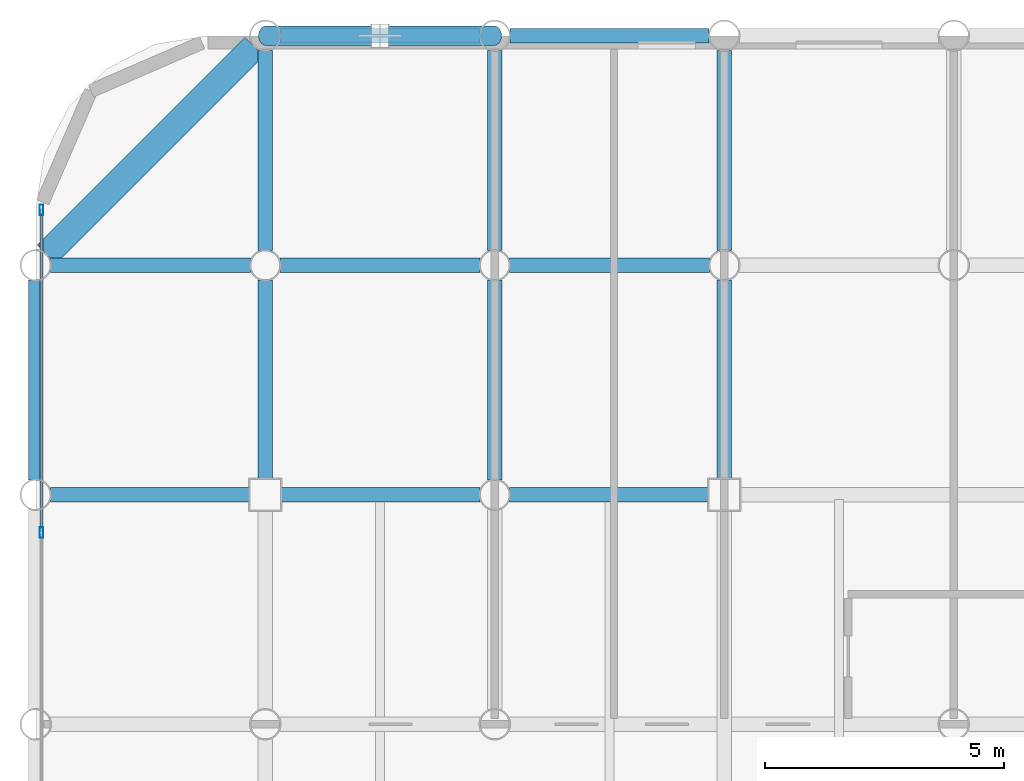
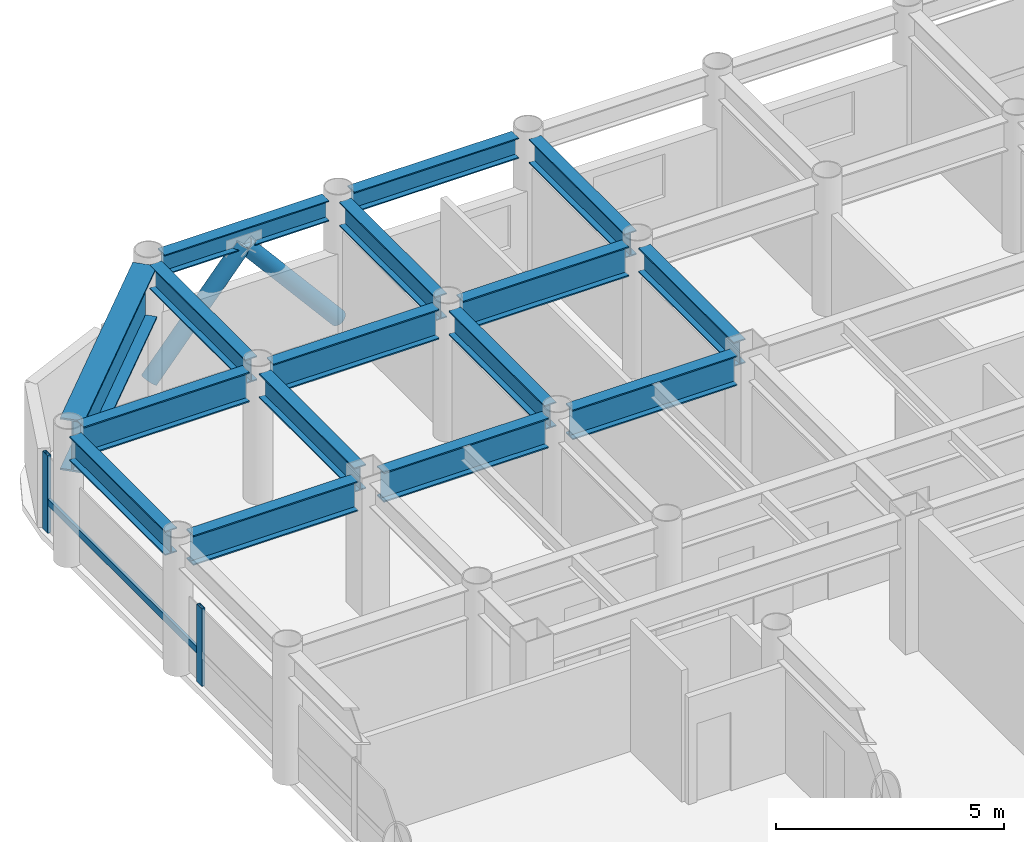
# One storey, part 11 of 22: 16 beams, 5 members, 1 element without a shape of its own.
"""IFC4 building model written with IfcOpenShell, lengths in metres."""

from ifc_helpers import new_model, si_unit, direction, frame, origin, origin_2d, place, context, subcontext, project, spatial, hollow_rectangle, hollow_circle, i_section, extrude, material, layer, layer_set, material_profile, profile_set, type_object, element, aggregate, save


model = new_model("IFC4")

# Units and contexts
model_context = context("Model", 3, precision=1e-05, world=origin(), true_north=direction((0.0, 1.0)))
body_context = subcontext(model_context, "Body", "Model", "MODEL_VIEW")
ifc_project = project(units=[si_unit("LENGTHUNIT", "METRE"), si_unit("AREAUNIT", "SQUARE_METRE"), si_unit("VOLUMEUNIT", "CUBIC_METRE"), si_unit("PLANEANGLEUNIT", "RADIAN"), si_unit("MASSUNIT", "GRAM", prefix="KILO")], contexts=[model_context])

# Site, building, storey
site_placement = place(None, origin())
site = spatial("IfcSite", under=ifc_project, at=site_placement, CompositionType="ELEMENT")
building_placement = place(site_placement, origin())
building = spatial("IfcBuilding", under=site, at=building_placement, Name="Kallvorn Hotel Tower", CompositionType="ELEMENT")
storey_placement = place(building_placement, frame((0.0, 0.0, 110.0)))
storey = spatial("IfcBuildingStorey", under=building, at=storey_placement, Name="L26", CompositionType="ELEMENT", Elevation=110.0)

# Beams
ifc_material_1 = material(Name="Structural steel S355JR", Category="steel")
ifc_material_profile_1 = material_profile(ifc_material_1, i_section(OverallWidth=0.300048828125, OverallDepth=0.550048828125, WebThickness=0.014892578125, FlangeThickness=0.029052734375, at=origin_2d()), Name="HE 550 B")
ifc_profile_set_1 = profile_set([ifc_material_profile_1], Name="Structural steel S355JR")
beam_type_1 = type_object("IfcBeamType", Name="BM_HE550B", PredefinedType="SPANDREL", material=ifc_profile_set_1)
for number, where, z_axis, x_axis, name in (
    (1, (-23.679931640625, 24.0, 3.2451171875), (1.0, 0.0, 0.0), (0.0, 1.0, 0.0), "L27 Perimeter Spandrel 163"),
    (2, (-18.8798828125, 24.0, 3.2451171875), (1.0, 0.0, 0.0), (0.0, 1.0, 0.0), "L27 Perimeter Spandrel 164"),
):
    element("IfcBeam", number, at=place(storey_placement, frame(where, z_axis=z_axis, x_axis=x_axis)), inside=storey, type_object=beam_type_1, Name=name, PredefinedType="SPANDREL", context=body_context, shape_type="SweptSolid", body=[
        extrude(i_section(OverallWidth=0.300048828125, OverallDepth=0.550048828125, WebThickness=0.014892578125, FlangeThickness=0.029052734375, at=origin_2d()), origin(), (0.0, 0.0, 1.0), 4.159912109375),
    ])
ifc_material_2 = material(Name="Structural steel S355JR", Category="steel")
ifc_material_profile_2 = material_profile(ifc_material_2, i_section(OverallWidth=0.300048828125, OverallDepth=0.64990234375, WebThickness=0.01611328125, FlangeThickness=0.031005859375, at=origin_2d()), Name="HE 650 B")
ifc_profile_set_2 = profile_set([ifc_material_profile_2], Name="Structural steel S355JR")
beam_type_2 = type_object("IfcBeamType", Name="BM_HE650B", PredefinedType="BEAM", material=ifc_profile_set_2)
beam_1_placement = place(storey_placement, frame((-28.800048828125, 14.705078125, 3.195068359375), z_axis=(0.0, 1.0, 0.0), x_axis=(-1.0, 0.0, 0.0)))
element("IfcBeam", 3, at=beam_1_placement, inside=storey, type_object=beam_type_2, Name="L27 Primary Y-Girder 80", PredefinedType="BEAM", context=body_context, shape_type="SweptSolid", body=[
    extrude(i_section(OverallWidth=0.300048828125, OverallDepth=0.64990234375, WebThickness=0.01611328125, FlangeThickness=0.031005859375, at=origin_2d()), origin(), (0.0, 0.0, 1.0), 4.18994140625),
])
beam_2_placement = place(storey_placement, frame((-24.0, 14.72509765625, 3.195068359375), z_axis=(0.0, 1.0, 0.0), x_axis=(-1.0, 0.0, 0.0)))
element("IfcBeam", 4, at=beam_2_placement, inside=storey, type_object=beam_type_2, Name="L27 Primary Y-Girder 86", PredefinedType="BEAM", context=body_context, shape_type="SweptSolid", body=[
    extrude(i_section(OverallWidth=0.300048828125, OverallDepth=0.64990234375, WebThickness=0.01611328125, FlangeThickness=0.031005859375, at=origin_2d()), origin(), (0.0, 0.0, 1.0), 4.169921875),
])
beam_3_placement = place(storey_placement, frame((-24.0, 19.5048828125, 3.195068359375), z_axis=(0.0, 1.0, 0.0), x_axis=(-1.0, 0.0, 0.0)))
element("IfcBeam", 5, at=beam_3_placement, inside=storey, type_object=beam_type_2, Name="L27 Primary Y-Girder 87", PredefinedType="BEAM", context=body_context, shape_type="SweptSolid", body=[
    extrude(i_section(OverallWidth=0.300048828125, OverallDepth=0.64990234375, WebThickness=0.01611328125, FlangeThickness=0.031005859375, at=origin_2d()), origin(), (0.0, 0.0, 1.0), 4.190185546875),
])
beam_4_placement = place(storey_placement, frame((-19.199951171875, 14.705078125, 3.195068359375), z_axis=(0.0, 1.0, 0.0), x_axis=(-1.0, 0.0, 0.0)))
element("IfcBeam", 6, at=beam_4_placement, inside=storey, type_object=beam_type_2, Name="L27 Primary Y-Girder 95", PredefinedType="BEAM", context=body_context, shape_type="SweptSolid", body=[
    extrude(i_section(OverallWidth=0.300048828125, OverallDepth=0.64990234375, WebThickness=0.01611328125, FlangeThickness=0.031005859375, at=origin_2d()), origin(), (0.0, 0.0, 1.0), 4.18994140625),
])
beam_5_placement = place(storey_placement, frame((-19.199951171875, 19.5048828125, 3.195068359375), z_axis=(0.0, 1.0, 0.0), x_axis=(-1.0, 0.0, 0.0)))
element("IfcBeam", 7, at=beam_5_placement, inside=storey, type_object=beam_type_2, Name="L27 Primary Y-Girder 96", PredefinedType="BEAM", context=body_context, shape_type="SweptSolid", body=[
    extrude(i_section(OverallWidth=0.300048828125, OverallDepth=0.64990234375, WebThickness=0.01611328125, FlangeThickness=0.031005859375, at=origin_2d()), origin(), (0.0, 0.0, 1.0), 4.190185546875),
])
beam_6_placement = place(storey_placement, frame((-14.39990234375, 14.72509765625, 3.195068359375), z_axis=(0.0, 1.0, 0.0), x_axis=(-1.0, 0.0, 0.0)))
element("IfcBeam", 8, at=beam_6_placement, inside=storey, type_object=beam_type_2, Name="L27 Primary Y-Girder 100", PredefinedType="BEAM", context=body_context, shape_type="SweptSolid", body=[
    extrude(i_section(OverallWidth=0.300048828125, OverallDepth=0.64990234375, WebThickness=0.01611328125, FlangeThickness=0.031005859375, at=origin_2d()), origin(), (0.0, 0.0, 1.0), 4.169921875),
])
beam_7_placement = place(storey_placement, frame((-14.39990234375, 19.5048828125, 3.195068359375), z_axis=(0.0, 1.0, 0.0), x_axis=(-1.0, 0.0, 0.0)))
element("IfcBeam", 9, at=beam_7_placement, inside=storey, type_object=beam_type_2, Name="L27 Primary Y-Girder 101", PredefinedType="BEAM", context=body_context, shape_type="SweptSolid", body=[
    extrude(i_section(OverallWidth=0.300048828125, OverallDepth=0.64990234375, WebThickness=0.01611328125, FlangeThickness=0.031005859375, at=origin_2d()), origin(), (0.0, 0.0, 1.0), 4.190185546875),
])
ifc_material_3 = material(Name="Structural steel S355JR", Category="steel")
ifc_material_profile_3 = material_profile(ifc_material_3, i_section(OverallWidth=0.300048828125, OverallDepth=0.800048828125, WebThickness=0.017578125, FlangeThickness=0.032958984375, at=origin_2d()), Name="HE 800 B")
ifc_profile_set_3 = profile_set([ifc_material_profile_3], Name="Structural steel S355JR")
beam_type_3 = type_object("IfcBeamType", Name="BM_HE800B", PredefinedType="BEAM", material=ifc_profile_set_3)
for number, where, z_axis, x_axis, name in (
    (10, (-28.4951171875, 14.39990234375, 3.1201171875), (1.0, 0.0, 0.0), (0.0, 1.0, 0.0), "L27 Primary X-Girder 50"),
    (11, (-23.675048828125, 14.39990234375, 3.1201171875), (1.0, 0.0, 0.0), (0.0, 1.0, 0.0), "L27 Primary X-Girder 51"),
):
    element("IfcBeam", number, at=place(storey_placement, frame(where, z_axis=z_axis, x_axis=x_axis)), inside=storey, type_object=beam_type_3, Name=name, PredefinedType="BEAM", context=body_context, shape_type="SweptSolid", body=[
        extrude(i_section(OverallWidth=0.300048828125, OverallDepth=0.800048828125, WebThickness=0.017578125, FlangeThickness=0.032958984375, at=origin_2d()), origin(), (0.0, 0.0, 1.0), 4.170166015625),
    ])
beam_8_placement = place(storey_placement, frame((-18.89501953125, 14.39990234375, 3.1201171875), z_axis=(1.0, 0.0, 0.0), x_axis=(0.0, 1.0, 0.0)))
element("IfcBeam", 12, at=beam_8_placement, inside=storey, type_object=beam_type_3, Name="L27 Primary X-Girder 52", PredefinedType="BEAM", context=body_context, shape_type="SweptSolid", body=[
    extrude(i_section(OverallWidth=0.300048828125, OverallDepth=0.800048828125, WebThickness=0.017578125, FlangeThickness=0.032958984375, at=origin_2d()), origin(), (0.0, 0.0, 1.0), 4.169921875),
])
for number, where, z_axis, x_axis, name in (
    (13, (-28.4951171875, 19.199951171875, 3.1201171875), (1.0, 0.0, 0.0), (0.0, 1.0, 0.0), "L27 Primary X-Girder 60"),
    (14, (-23.695068359375, 19.199951171875, 3.1201171875), (1.0, 0.0, 0.0), (0.0, 1.0, 0.0), "L27 Primary X-Girder 61"),
):
    element("IfcBeam", number, at=place(storey_placement, frame(where, z_axis=z_axis, x_axis=x_axis)), inside=storey, type_object=beam_type_3, Name=name, PredefinedType="BEAM", context=body_context, shape_type="SweptSolid", body=[
        extrude(i_section(OverallWidth=0.300048828125, OverallDepth=0.800048828125, WebThickness=0.017578125, FlangeThickness=0.032958984375, at=origin_2d()), origin(), (0.0, 0.0, 1.0), 4.190185546875),
    ])
beam_9_placement = place(storey_placement, frame((-18.89501953125, 19.199951171875, 3.1201171875), z_axis=(1.0, 0.0, 0.0), x_axis=(0.0, 1.0, 0.0)))
element("IfcBeam", 15, at=beam_9_placement, inside=storey, type_object=beam_type_3, Name="L27 Primary X-Girder 62", PredefinedType="BEAM", context=body_context, shape_type="SweptSolid", body=[
    extrude(i_section(OverallWidth=0.300048828125, OverallDepth=0.800048828125, WebThickness=0.017578125, FlangeThickness=0.032958984375, at=origin_2d()), origin(), (0.0, 0.0, 1.0), 4.18994140625),
])
ifc_material_4 = material(Name="Structural steel S355JR", Category="steel")
ifc_material_profile_4 = material_profile(ifc_material_4, i_section(OverallWidth=0.550048828125, OverallDepth=1.39990234375, WebThickness=0.02490234375, FlangeThickness=0.044921875, at=origin_2d()), Name="PG 1400x550x25x45")
ifc_profile_set_4 = profile_set([ifc_material_profile_4], Name="Structural steel S355JR")
beam_type_4 = type_object("IfcBeamType", Name="BM_PG_1400", PredefinedType="BEAM", material=ifc_profile_set_4)
beam_10_placement = place(storey_placement, frame((-28.57373046875, 19.42626953125, 2.820068359375), z_axis=(0.707106781187, 0.707106781187, 0.0), x_axis=(-0.707106781187, 0.707106781187, 0.0)))
element("IfcBeam", 16, at=beam_10_placement, inside=storey, type_object=beam_type_4, Name="L27 Rounded Corner Tie Beam 189", PredefinedType="BEAM", context=body_context, shape_type="SweptSolid", body=[
    extrude(i_section(OverallWidth=0.550048828125, OverallDepth=1.39990234375, WebThickness=0.02490234375, FlangeThickness=0.044921875, at=origin_2d()), origin(), (0.0, 0.0, 1.0), 6.148193359375),
])

# Curtain wall, members
ifc_material_5 = material(Name="Thermally broken black-anodised aluminium AA 6063-T6", Category="aluminium")
ifc_layer = layer(ifc_material_5, 0.199951171875)
ifc_layer_set = layer_set([ifc_layer], Name="CW_SYS_3_HOTEL_LOW")
curtain_wall_type = type_object("IfcCurtainWallType", Name="CW_SYS_3_HOTEL_LOW", PredefinedType="USERDEFINED", material=ifc_layer_set)
curtain_wall_placement = place(storey_placement, origin())
curtain_wall = element("IfcCurtainWall", 17, at=curtain_wall_placement, inside=storey, type_object=curtain_wall_type, Name="L26 Dark-Glass Curtain Wall CW-L26-WN", ObjectType="UNITISED CURTAIN WALL", PredefinedType="USERDEFINED")
ifc_material_6 = material(Name="Thermally broken black-anodised aluminium AA 6063-T6", Category="aluminium")
ifc_material_profile_5 = material_profile(ifc_material_6, hollow_rectangle(XDim=0.080078125, YDim=0.219970703125, WallThickness=0.0048828125, at=origin_2d()), Name="MUL 220x80")
ifc_profile_set_5 = profile_set([ifc_material_profile_5], Name="Thermally broken black-anodised aluminium AA 6063-T6")
member_type_1 = type_object("IfcMemberType", Name="CW_MULLION_220x80", PredefinedType="MULLION", material=ifc_profile_set_5)
member_1_placement = place(storey_placement, frame((-28.679931640625, 13.606689453125, 0.02001953125), z_axis=(0.0, 0.0, 1.0), x_axis=(1.0, 0.0, 0.0)))
member_1 = element("IfcMember", 18, at=member_1_placement, type_object=member_type_1, Name="CW-L26-WN Mullion 02", PredefinedType="MULLION", context=body_context, shape_type="SweptSolid", body=[
    extrude(hollow_rectangle(XDim=0.080078125, YDim=0.219970703125, WallThickness=0.0048828125, at=origin_2d()), origin(), (0.0, 0.0, 1.0), 2.080078125),
])
member_2_placement = place(storey_placement, frame((-28.679931640625, 20.360107421875, 0.02001953125), z_axis=(0.0, 0.0, 1.0), x_axis=(1.0, 0.0, 0.0)))
member_2 = element("IfcMember", 19, at=member_2_placement, type_object=member_type_1, Name="CW-L26-WN Mullion 03", PredefinedType="MULLION", context=body_context, shape_type="SweptSolid", body=[
    extrude(hollow_rectangle(XDim=0.080078125, YDim=0.219970703125, WallThickness=0.0048828125, at=origin_2d()), origin(), (0.0, 0.0, 1.0), 2.080078125),
])
ifc_material_7 = material(Name="Thermally broken black-anodised aluminium AA 6063-T6", Category="aluminium")
ifc_material_profile_6 = material_profile(ifc_material_7, hollow_rectangle(XDim=0.070068359375, YDim=0.179931640625, WallThickness=0.00390625, at=origin_2d()), Name="TRN 180x70")
ifc_profile_set_6 = profile_set([ifc_material_profile_6], Name="Thermally broken black-anodised aluminium AA 6063-T6")
member_type_2 = type_object("IfcMemberType", Name="CW_TRANSOM_180x70", PredefinedType="USERDEFINED", material=ifc_profile_set_6)
member_3_placement = place(storey_placement, frame((-28.679931640625, 13.646728515625, 0.85009765625), z_axis=(0.0, 1.0, 0.0), x_axis=(-1.0, 0.0, 0.0)))
member_3 = element("IfcMember", 20, at=member_3_placement, type_object=member_type_2, Name="CW-L26-WN Transom 02M", ObjectType="TRANSOM", PredefinedType="USERDEFINED", context=body_context, shape_type="SweptSolid", body=[
    extrude(hollow_rectangle(XDim=0.070068359375, YDim=0.179931640625, WallThickness=0.00390625, at=origin_2d()), origin(), (0.0, 0.0, 1.0), 6.71337890625),
])
aggregate(curtain_wall, [member_1, member_2, member_3])

# Members
ifc_material_8 = material(Name="Structural steel S355J2H", Category="steel")
ifc_material_profile_7 = material_profile(ifc_material_8, hollow_circle(Radius=0.203125, WallThickness=0.01611328125, at=origin_2d()), Name="CHS 406.4x16")
ifc_profile_set_7 = profile_set([ifc_material_profile_7], Name="Structural steel S355J2H")
member_type_3 = type_object("IfcMemberType", Name="MBR_EXO_CHS406", PredefinedType="BRACE", material=ifc_profile_set_7)
for number, where, z_axis, x_axis, name in (
    (21, (-23.987060546875, 24.0, 0.1953125), (0.646833296797, 0.0, 0.762631422218), (0.0, 1.0, 0.0), "L26 Exoskeleton K-Brace N1A"),
    (22, (-19.212890625, 24.0, 0.1953125), (-0.646833296797, 0.0, 0.762631422218), (0.0, -1.0, 0.0), "L26 Exoskeleton K-Brace N1B"),
):
    element("IfcMember", number, at=place(storey_placement, frame(where, z_axis=z_axis, x_axis=x_axis)), inside=storey, type_object=member_type_3, Name=name, PredefinedType="BRACE", context=body_context, shape_type="SweptSolid", body=[
        extrude(hollow_circle(Radius=0.203125, WallThickness=0.01611328125, at=origin_2d()), origin(), (0.0, 0.0, 1.0), 3.670654296875),
    ])

save(model, "model.ifc")
